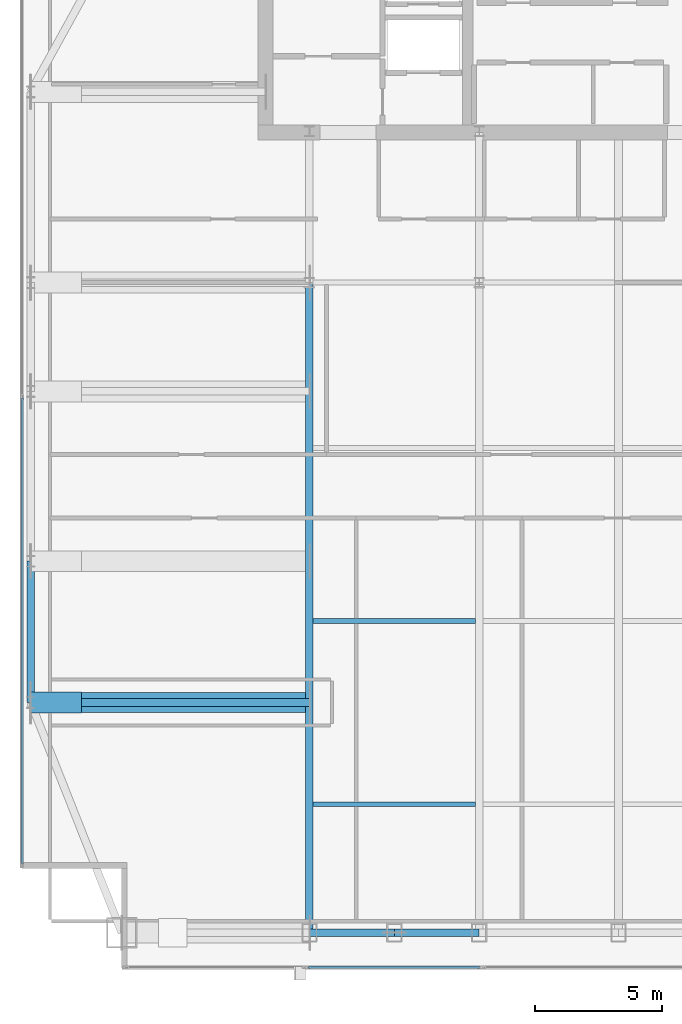
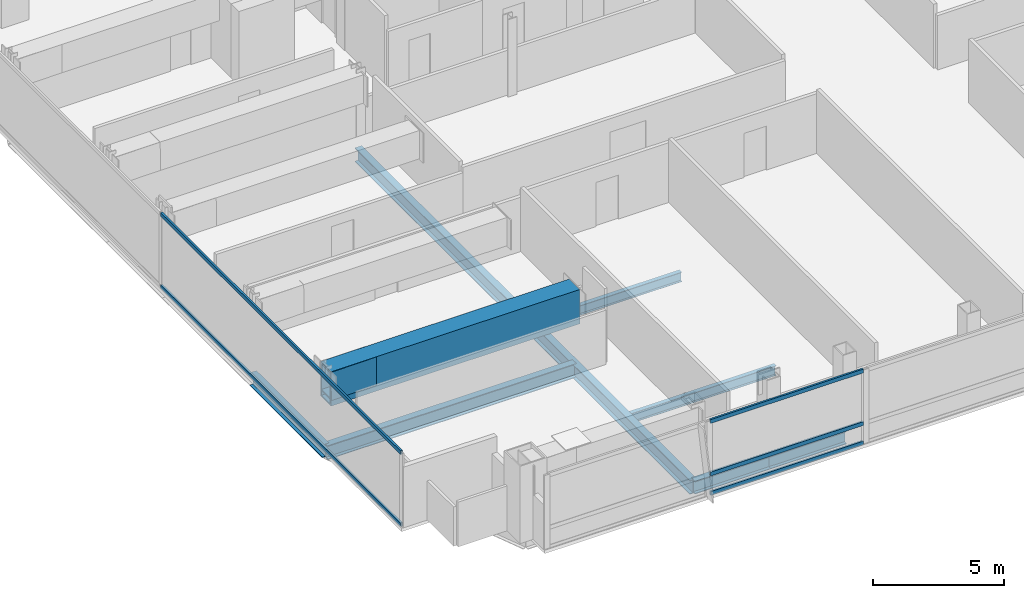
# One storey, part 6 of 26: 9 beams, 5 members, 2 elements without a shape of their own.
"""IFC4 building model written with IfcOpenShell, lengths in metres."""

from ifc_helpers import new_model, si_unit, direction, frame, origin, origin_2d, place, context, subcontext, project, spatial, hollow_rectangle, i_section, extrude, material, material_profile, profile_set, type_object, element, aggregate, save


model = new_model("IFC4")

# Units and contexts
model_context = context("Model", 3, precision=1e-05, world=origin(), true_north=direction((0.0, 1.0)))
body_context = subcontext(model_context, "Body", "Model", "MODEL_VIEW")
ifc_project = project(units=[si_unit("LENGTHUNIT", "METRE"), si_unit("AREAUNIT", "SQUARE_METRE"), si_unit("VOLUMEUNIT", "CUBIC_METRE"), si_unit("PLANEANGLEUNIT", "RADIAN"), si_unit("MASSUNIT", "GRAM", prefix="KILO")], contexts=[model_context])

# Site, building, storey
site_placement = place(None, origin())
site = spatial("IfcSite", under=ifc_project, at=site_placement, CompositionType="ELEMENT")
building_placement = place(site_placement, origin())
building = spatial("IfcBuilding", under=site, at=building_placement, Name="Khoronbel Lancet Exchange", CompositionType="ELEMENT")
storey_placement = place(building_placement, frame((0.0, 0.0, 235.39990234375)))
storey = spatial("IfcBuildingStorey", under=building, at=storey_placement, Name="L60", CompositionType="ELEMENT", Elevation=235.39990234375)

# Beams
ifc_material_1 = material(Name="Steel S355", Category="steel")
ifc_material_profile_1 = material_profile(ifc_material_1, i_section(OverallWidth=0.300048828125, OverallDepth=0.64990234375, WebThickness=0.01611328125, FlangeThickness=0.031005859375, at=origin_2d()), Name="HEB 650")
ifc_profile_set_1 = profile_set([ifc_material_profile_1], Name="Steel S355")
beam_type_1 = type_object("IfcBeamType", Name="BM-BG4", PredefinedType="BEAM", material=ifc_profile_set_1)
beam_1_placement = place(storey_placement, frame((18.22509765625, 10.14990234375, -0.48486328125), z_axis=(0.0, 1.0, 0.0), x_axis=(-1.0, 0.0, 0.0)))
element("IfcBeam", 1, at=beam_1_placement, inside=storey, type_object=beam_type_1, Name="Level L60 south primary girder GS1", PredefinedType="BEAM", context=body_context, shape_type="SweptSolid", body=[
    extrude(i_section(OverallWidth=0.300048828125, OverallDepth=0.64990234375, WebThickness=0.01611328125, FlangeThickness=0.031005859375, at=origin_2d()), origin(), (0.0, 0.0, 1.0), 25.550048828125),
])
beam_2_placement = place(storey_placement, frame((7.27001953125, 19.199951171875, -0.48486328125), z_axis=(1.0, 0.0, 0.0), x_axis=(0.0, 1.0, 0.0)))
element("IfcBeam", 2, at=beam_2_placement, inside=storey, type_object=beam_type_1, Name="Level L60 west lens tie girder LG1W", PredefinedType="BEAM", context=body_context, shape_type="SweptSolid", body=[
    extrude(i_section(OverallWidth=0.300048828125, OverallDepth=0.64990234375, WebThickness=0.01611328125, FlangeThickness=0.031005859375, at=origin_2d()), origin(), (0.0, 0.0, 1.0), 10.955078125),
])
ifc_material_profile_2 = material_profile(ifc_material_1, i_section(OverallWidth=0.18994140625, OverallDepth=0.449951171875, WebThickness=0.009521484375, FlangeThickness=0.0146484375, at=origin_2d()), Name="IPE 450")
ifc_profile_set_2 = profile_set([ifc_material_profile_2], Name="Steel S355")
beam_type_2 = type_object("IfcBeamType", Name="BM-BJ4", PredefinedType="JOIST", material=ifc_profile_set_2)
for number, where, z_axis, x_axis, name in (
    (3, (18.375, 15.199951171875, -0.385009765625), (1.0, 0.0, 0.0), (0.0, 1.0, 0.0), "Level L60 secondary composite joist J01"),
    (4, (18.375, 22.39990234375, -0.385009765625), (1.0, 0.0, 0.0), (0.0, 1.0, 0.0), "Level L60 secondary composite joist J06"),
):
    element("IfcBeam", number, at=place(storey_placement, frame(where, z_axis=z_axis, x_axis=x_axis)), inside=storey, type_object=beam_type_2, Name=name, PredefinedType="JOIST", context=body_context, shape_type="SweptSolid", body=[
        extrude(i_section(OverallWidth=0.18994140625, OverallDepth=0.449951171875, WebThickness=0.009521484375, FlangeThickness=0.0146484375, at=origin_2d()), origin(), (0.0, 0.0, 1.0), 6.375),
    ])
ifc_material_profile_3 = material_profile(ifc_material_1, i_section(OverallWidth=0.300048828125, OverallDepth=0.60009765625, WebThickness=0.015380859375, FlangeThickness=0.030029296875, at=origin_2d()), Name="HEB 600")
ifc_profile_set_3 = profile_set([ifc_material_profile_3], Name="Steel S355")
beam_type_3 = type_object("IfcBeamType", Name="BM-BSP2", PredefinedType="SPANDREL", material=ifc_profile_set_3)
for number, where, z_axis, x_axis, name in (
    (5, (18.22509765625, 10.14990234375, -0.4599609375), (1.0, 0.0, 0.0), (0.0, 1.0, 0.0), "Level L60 perimeter spandrel beam SP02"),
    (6, (21.5625, 10.14990234375, -0.4599609375), (1.0, 0.0, 0.0), (0.0, 1.0, 0.0), "Level L60 perimeter spandrel beam SP03"),
):
    element("IfcBeam", number, at=place(storey_placement, frame(where, z_axis=z_axis, x_axis=x_axis)), inside=storey, type_object=beam_type_3, Name=name, PredefinedType="SPANDREL", context=body_context, shape_type="SweptSolid", body=[
        extrude(i_section(OverallWidth=0.300048828125, OverallDepth=0.60009765625, WebThickness=0.015380859375, FlangeThickness=0.030029296875, at=origin_2d()), origin(), (0.0, 0.0, 1.0), 3.33740234375),
    ])
beam_3_placement = place(storey_placement, frame((7.27001953125, 24.75, -0.4599609375), z_axis=(0.0, -1.0, 0.0), x_axis=(1.0, 0.0, 0.0)))
element("IfcBeam", 7, at=beam_3_placement, inside=storey, type_object=beam_type_3, Name="Level L60 perimeter spandrel beam SP20", PredefinedType="SPANDREL", context=body_context, shape_type="SweptSolid", body=[
    extrude(i_section(OverallWidth=0.300048828125, OverallDepth=0.60009765625, WebThickness=0.015380859375, FlangeThickness=0.030029296875, at=origin_2d()), origin(), (0.0, 0.0, 1.0), 5.550048828125),
])
ifc_material_2 = material(Name="Steel S460", Category="steel")
ifc_material_profile_4 = material_profile(ifc_material_2, hollow_rectangle(XDim=0.800048828125, YDim=1.60009765625, WallThickness=0.06494140625, at=origin_2d()), Name="BOX 800x1600x65")
ifc_profile_set_4 = profile_set([ifc_material_profile_4], Name="Steel S460")
beam_type_4 = type_object("IfcBeamType", Name="BM-TG2", PredefinedType="USERDEFINED", material=ifc_profile_set_4)
beam_4_placement = place(storey_placement, frame((7.27001953125, 19.199951171875, 2.64013671875), z_axis=(1.0, 0.0, 0.0), x_axis=(0.0, 1.0, 0.0)))
element("IfcBeam", 8, at=beam_4_placement, inside=storey, type_object=beam_type_4, Name="Lens setback S460 transfer girder L60-W1", ObjectType="TRANSFER GIRDER", PredefinedType="USERDEFINED", context=body_context, shape_type="SweptSolid", body=[
    extrude(hollow_rectangle(XDim=0.800048828125, YDim=1.60009765625, WallThickness=0.06494140625, at=origin_2d()), origin(), (0.0, 0.0, 1.0), 10.955078125),
])
ifc_material_profile_5 = material_profile(ifc_material_2, hollow_rectangle(XDim=0.820068359375, YDim=1.320068359375, WallThickness=0.070068359375, at=origin_2d()), Name="BOX 820x1320x70")
ifc_profile_set_5 = profile_set([ifc_material_profile_5], Name="Steel S460")
beam_type_5 = type_object("IfcBeamType", Name="BM-TG4", PredefinedType="USERDEFINED", material=ifc_profile_set_5)
beam_5_placement = place(storey_placement, frame((7.27001953125, 19.199951171875, 2.760009765625), z_axis=(0.99994990606, 0.0, 0.010009264196), x_axis=(0.0, 1.0, 0.0)))
element("IfcBeam", 9, at=beam_5_placement, inside=storey, type_object=beam_type_5, Name="Setback transfer knee-brace girder L60-WC-1", ObjectType="TRANSFER GIRDER", PredefinedType="USERDEFINED", context=body_context, shape_type="SweptSolid", body=[
    extrude(hollow_rectangle(XDim=0.820068359375, YDim=1.320068359375, WallThickness=0.070068359375, at=origin_2d()), origin(), (0.0, 0.0, 1.0), 2.0),
])

# Curtain wall, members
ifc_material_3 = material(Name="Low-E Solar Control Insulating Glass", Category="glass")
curtain_wall_type_1 = type_object("IfcCurtainWallType", Name="CW-4", PredefinedType="NOTDEFINED", material=ifc_material_3)
curtain_wall_1_placement = place(storey_placement, origin())
curtain_wall_1 = element("IfcCurtainWall", 10, at=curtain_wall_1_placement, inside=storey, type_object=curtain_wall_type_1, Name="Unitised curtain wall CW-L60-E03", PredefinedType="NOTDEFINED")
ifc_material_4 = material(Name="Bronze-Anodised Aluminium 6063-T6", Category="aluminium")
ifc_material_profile_6 = material_profile(ifc_material_4, hollow_rectangle(XDim=0.0849609375, YDim=0.179931640625, WallThickness=0.0048828125, at=origin_2d()), Name="ALU TRANSOM 85x180")
ifc_profile_set_6 = profile_set([ifc_material_profile_6], Name="Bronze-Anodised Aluminium 6063-T6")
member_type = type_object("IfcMemberType", Name="MEM-CWT1", PredefinedType="USERDEFINED", material=ifc_profile_set_6)
member_1_placement = place(storey_placement, frame((6.93994140625, 12.864990234375, 0.04248046875), z_axis=(0.0, 1.0, 0.0), x_axis=(-1.0, 0.0, 0.0)))
member_1 = element("IfcMember", 11, at=member_1_placement, type_object=member_type, Name="CW4 transom 1.1", ObjectType="TRANSOM", PredefinedType="USERDEFINED", context=body_context, shape_type="SweptSolid", body=[
    extrude(hollow_rectangle(XDim=0.0849609375, YDim=0.179931640625, WallThickness=0.0048828125, at=origin_2d()), origin(), (0.0, 0.0, 1.0), 18.297607421875),
])
member_2_placement = place(storey_placement, frame((6.93994140625, 12.864990234375, 3.397705078125), z_axis=(0.0, 1.0, 0.0), x_axis=(-1.0, 0.0, 0.0)))
member_2 = element("IfcMember", 12, at=member_2_placement, type_object=member_type, Name="CW4 transom 1.2", ObjectType="TRANSOM", PredefinedType="USERDEFINED", context=body_context, shape_type="SweptSolid", body=[
    extrude(hollow_rectangle(XDim=0.0849609375, YDim=0.179931640625, WallThickness=0.0048828125, at=origin_2d()), origin(), (0.0, 0.0, 1.0), 18.297607421875),
])
aggregate(curtain_wall_1, [member_1, member_2])

curtain_wall_type_2 = type_object("IfcCurtainWallType", Name="CW-3", PredefinedType="NOTDEFINED", material=ifc_material_3)
curtain_wall_2_placement = place(storey_placement, origin())
curtain_wall_2 = element("IfcCurtainWall", 13, at=curtain_wall_2_placement, inside=storey, type_object=curtain_wall_type_2, Name="Unitised curtain wall CW-L60-SWB", PredefinedType="NOTDEFINED")
member_3_placement = place(storey_placement, frame((18.18505859375, 8.7900390625, 0.04248046875), z_axis=(1.0, 0.0, 0.0), x_axis=(0.0, 1.0, 0.0)))
member_3 = element("IfcMember", 14, at=member_3_placement, type_object=member_type, Name="CW3 transom 1.1", ObjectType="TRANSOM", PredefinedType="USERDEFINED", context=body_context, shape_type="SweptSolid", body=[
    extrude(hollow_rectangle(XDim=0.0849609375, YDim=0.179931640625, WallThickness=0.0048828125, at=origin_2d()), origin(), (0.0, 0.0, 1.0), 6.72998046875),
])
member_4_placement = place(storey_placement, frame((18.18505859375, 8.7900390625, 0.9501953125), z_axis=(1.0, 0.0, 0.0), x_axis=(0.0, 1.0, 0.0)))
member_4 = element("IfcMember", 15, at=member_4_placement, type_object=member_type, Name="CW3 transom 1.2", ObjectType="TRANSOM", PredefinedType="USERDEFINED", context=body_context, shape_type="SweptSolid", body=[
    extrude(hollow_rectangle(XDim=0.0849609375, YDim=0.179931640625, WallThickness=0.0048828125, at=origin_2d()), origin(), (0.0, 0.0, 1.0), 6.72998046875),
])
member_5_placement = place(storey_placement, frame((18.18505859375, 8.7900390625, 3.397705078125), z_axis=(1.0, 0.0, 0.0), x_axis=(0.0, 1.0, 0.0)))
member_5 = element("IfcMember", 16, at=member_5_placement, type_object=member_type, Name="CW3 transom 1.3", ObjectType="TRANSOM", PredefinedType="USERDEFINED", context=body_context, shape_type="SweptSolid", body=[
    extrude(hollow_rectangle(XDim=0.0849609375, YDim=0.179931640625, WallThickness=0.0048828125, at=origin_2d()), origin(), (0.0, 0.0, 1.0), 6.72998046875),
])
aggregate(curtain_wall_2, [member_3, member_4, member_5])

save(model, "model.ifc")
